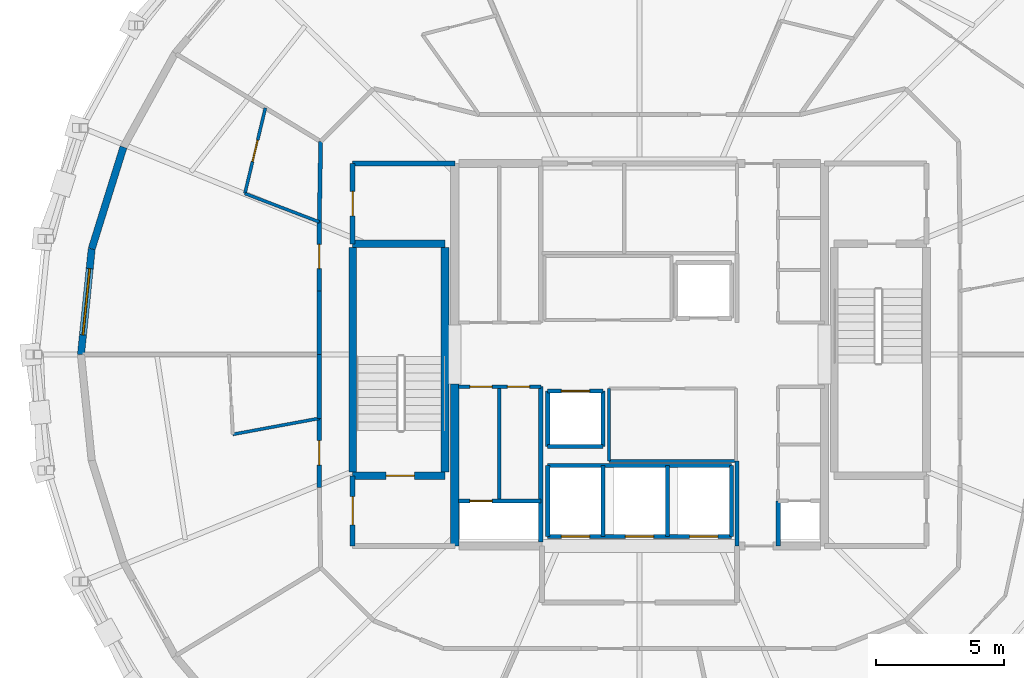
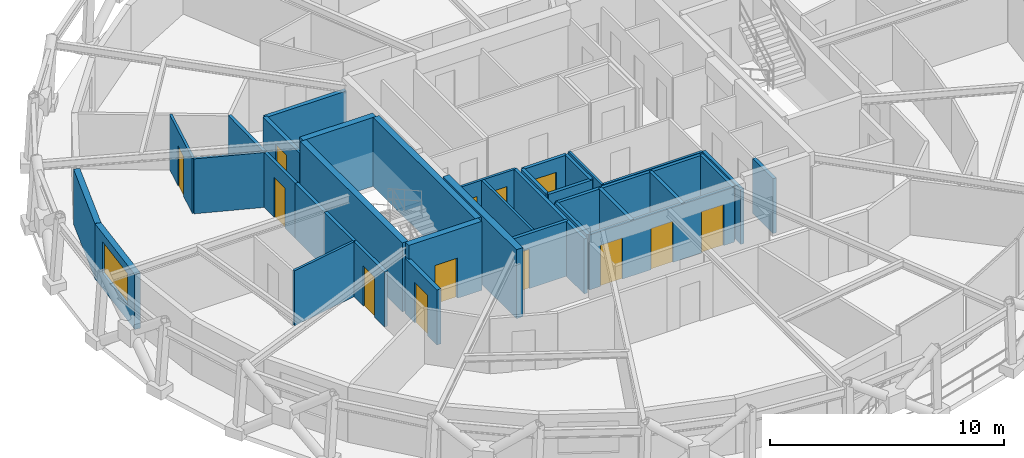
# One storey, part 12 of 16: 36 walls, 13 doors, 1 window, 14 openings.
"""IFC4 building model written with IfcOpenShell, lengths in metres."""

from ifc_helpers import new_model, si_unit, direction, frame, frame_2d, origin, place, context, subcontext, project, spatial, rectangle, extrude, material, layer, layer_set, type_object, element, fill, save


model = new_model("IFC4")

# Units and contexts
model_context = context("Model", 3, precision=1e-05, world=origin(), true_north=direction((0.0, 1.0)))
body_context = subcontext(model_context, "Body", "Model", "MODEL_VIEW")
ifc_project = project(units=[si_unit("LENGTHUNIT", "METRE"), si_unit("AREAUNIT", "SQUARE_METRE"), si_unit("VOLUMEUNIT", "CUBIC_METRE"), si_unit("PLANEANGLEUNIT", "RADIAN"), si_unit("MASSUNIT", "GRAM", prefix="KILO")], contexts=[model_context])

# Site, building, storey
site_placement = place(None, origin())
site = spatial("IfcSite", under=ifc_project, at=site_placement, CompositionType="ELEMENT")
building_placement = place(site_placement, origin())
building = spatial("IfcBuilding", under=site, at=building_placement, Name="Veldorina Hangang Commons", CompositionType="ELEMENT")
storey_placement = place(building_placement, frame((0.0, 0.0, 240.0)))
storey = spatial("IfcBuildingStorey", under=building, at=storey_placement, Name="L62", CompositionType="ELEMENT", Elevation=240.0)

# Walls
ifc_material_1 = material(Name="Concrete C50/60", Category="concrete")
ifc_layer_1 = layer(ifc_material_1, 0.320068359375)
ifc_layer_set_1 = layer_set([ifc_layer_1], Name="Concrete C50/60")
wall_type_1 = type_object("IfcWallType", Name="CW-RC320-C50", PredefinedType="SHEAR", material=ifc_layer_set_1)
wall_1_placement = place(storey_placement, frame((24.800048828125, 16.550048828125, 0.0), z_axis=(0.0, 0.0, 1.0), x_axis=(0.0, 1.0, 0.0)))
element("IfcWall", 1, at=wall_1_placement, inside=storey, type_object=wall_type_1, Name="L62 W south core shear wall", PredefinedType="SHEAR", context=body_context, shape_type="SweptSolid", body=[
    extrude(rectangle(XDim=6.300048828125, YDim=0.320068359375, at=frame_2d((3.14990234375, 0.0))), origin(), (0.0, 0.0, 1.0), 3.60009765625),
])
ifc_material_2 = material(Name="Stone Roman Travertine", Category="masonry")
ifc_layer_2 = layer(ifc_material_2, 0.280029296875)
ifc_layer_set_2 = layer_set([ifc_layer_2], Name="Stone Roman Travertine")
wall_type_2 = type_object("IfcWallType", Name="EW-TRAV-280", PredefinedType="STANDARD", material=ifc_layer_set_2)
wall_2_placement = place(storey_placement, frame((11.891357421875, 32.087646484375, 0.0), z_axis=(0.0, 0.0, 1.0), x_axis=(-0.298184627307, -0.954508212661, 0.0)))
element("IfcWall", 2, at=wall_2_placement, inside=storey, type_object=wall_type_2, Name="L62 travertine facade wall 14", PredefinedType="STANDARD", context=body_context, shape_type="SweptSolid", body=[
    extrude(rectangle(XDim=4.153564453125, YDim=0.280029296875, at=frame_2d((2.07666015625, 0.0))), origin(), (0.0, 0.0, 1.0), 2.8798828125),
])

# Wall, opening, window
wall_3_placement = place(storey_placement, frame((10.65283203125, 28.123046875, 0.0), z_axis=(0.0, 0.0, 1.0), x_axis=(-0.100915158401, -0.994895035069, 0.0)))
wall_3 = element("IfcWall", 3, at=wall_3_placement, inside=storey, type_object=wall_type_2, Name="L62 travertine facade wall 15", PredefinedType="STANDARD", context=body_context, shape_type="SweptSolid", body=[
    extrude(rectangle(XDim=4.144287109375, YDim=0.280029296875, at=frame_2d((2.072265625, 0.0))), origin(), (0.0, 0.0, 1.0), 2.8798828125),
])
opening_1_placement = place(wall_3_placement, frame((0.772216796875, 0.0, 0.800048828125)))
opening_1 = element("IfcOpeningElement", 4, at=opening_1_placement, cuts=wall_3, Name="Opening W-02", PredefinedType="OPENING", context=body_context, shape_type="SweptSolid", body=[
    extrude(rectangle(XDim=2.60009765625, YDim=1.64990234375, at=frame_2d((1.300048828125, 0.824951171875))), frame((0.0, 0.14990234375, 0.0), z_axis=(0.0, -1.0, 0.0), x_axis=(1.0, 0.0, 0.0)), (0.0, 0.0, 1.0), 0.300048828125),
])
ifc_material_3 = material(Name="Glass Low-E Triple IGU", Category="glass")
window_type = type_object("IfcWindowType", Name="WIN-TWR-2600", PartitioningType="SINGLE_PANEL", PredefinedType="WINDOW", material=ifc_material_3)
window_placement = place(opening_1_placement, origin())
window = element("IfcWindow", 5, at=window_placement, inside=storey, type_object=window_type, Name="L62 facade window 15", OverallHeight=1.64990234375, OverallWidth=2.60009765625, PartitioningType="SINGLE_PANEL", PredefinedType="WINDOW", context=body_context, shape_type="SweptSolid", body=[
    extrude(rectangle(XDim=2.60009765625, YDim=1.64990234375, at=frame_2d((1.300048828125, 0.824951171875))), frame((0.0, 0.030029296875, 0.0), z_axis=(0.0, -1.0, 0.0), x_axis=(1.0, 0.0, 0.0)), (0.0, 0.0, 1.0), 0.06005859375),
])
fill(opening_1, window)

# Walls
ifc_layer_3 = layer(ifc_material_1, 0.300048828125)
ifc_layer_set_3 = layer_set([ifc_layer_3], Name="Concrete C50/60")
wall_type_3 = type_object("IfcWallType", Name="SW-STAIR-300", PredefinedType="SHEAR", material=ifc_layer_set_3)
for number, where, z_axis, x_axis, name in (
    (6, (20.820068359375, 19.429931640625, 0.0), (0.0, 0.0, 1.0), (0.0, 1.0, 0.0), "L62 ST1 outer stair shear wall"),
    (7, (24.419921875, 19.429931640625, 0.0), (0.0, 0.0, 1.0), (0.0, 1.0, 0.0), "L62 ST1 inner stair shear wall"),
):
    element("IfcWall", number, at=place(storey_placement, frame(where, z_axis=z_axis, x_axis=x_axis)), inside=storey, type_object=wall_type_3, Name=name, PredefinedType="SHEAR", context=body_context, shape_type="SweptSolid", body=[
        extrude(rectangle(XDim=8.739990234375, YDim=0.300048828125, at=frame_2d((4.3701171875, 0.0))), origin(), (0.0, 0.0, 1.0), 3.60009765625),
    ])

# Wall, opening, door
wall_4_placement = place(storey_placement, frame((20.820068359375, 19.280029296875, 0.0), z_axis=(0.0, 0.0, 1.0), x_axis=(1.0, 0.0, 0.0)))
wall_4 = element("IfcWall", 8, at=wall_4_placement, inside=storey, type_object=wall_type_3, Name="L62 ST1 south stair shear wall", PredefinedType="SHEAR", context=body_context, shape_type="SweptSolid", body=[
    extrude(rectangle(XDim=3.599853515625, YDim=0.300048828125, at=frame_2d((1.7998046875, 0.0))), origin(), (0.0, 0.0, 1.0), 3.60009765625),
])
opening_2_placement = place(wall_4_placement, frame((1.300048828125, 0.0, 0.0)))
opening_2 = element("IfcOpeningElement", 9, at=opening_2_placement, cuts=wall_4, Name="Opening D-08", PredefinedType="OPENING", context=body_context, shape_type="SweptSolid", body=[
    extrude(rectangle(XDim=1.10009765625, YDim=2.10009765625, at=frame_2d((0.550048828125, 1.050048828125))), frame((0.0, 0.16015625, 0.0), z_axis=(0.0, -1.0, 0.0), x_axis=(1.0, 0.0, 0.0)), (0.0, 0.0, 1.0), 0.320068359375),
])
ifc_material_4 = material(Name="Steel Fire-Rated Smoke Seal", Category="steel")
door_type_1 = type_object("IfcDoorType", Name="DR-FIRE-1100", OperationType="SINGLE_SWING_RIGHT", PredefinedType="DOOR", material=ifc_material_4)
door_1_placement = place(opening_2_placement, origin())
door_1 = element("IfcDoor", 10, at=door_1_placement, inside=storey, type_object=door_type_1, Name="L62 Special Escape Stair ST-1 door", OperationType="SINGLE_SWING_LEFT", OverallHeight=2.10009765625, OverallWidth=1.10009765625, PredefinedType="DOOR", context=body_context, shape_type="SweptSolid", body=[
    extrude(rectangle(XDim=1.10009765625, YDim=2.10009765625, at=frame_2d((0.550048828125, 1.050048828125))), frame((0.0, 0.02490234375, 0.0), z_axis=(0.0, -1.0, 0.0), x_axis=(1.0, 0.0, 0.0)), (0.0, 0.0, 1.0), 0.050048828125),
])
fill(opening_2, door_1)

# Walls
wall_5_placement = place(storey_placement, frame((20.820068359375, 28.320068359375, 0.0), z_axis=(0.0, 0.0, 1.0), x_axis=(1.0, 0.0, 0.0)))
element("IfcWall", 11, at=wall_5_placement, inside=storey, type_object=wall_type_3, Name="L62 ST1 north stair shear wall", PredefinedType="SHEAR", context=body_context, shape_type="SweptSolid", body=[
    extrude(rectangle(XDim=3.599853515625, YDim=0.300048828125, at=frame_2d((1.7998046875, 0.0))), origin(), (0.0, 0.0, 1.0), 3.60009765625),
])
ifc_material_5 = material(Name="Gypsum Fire-Rated Twin Stud Wall", Category="gypsum")
ifc_layer_4 = layer(ifc_material_5, 0.159912109375)
ifc_layer_set_4 = layer_set([ifc_layer_4], Name="Gypsum Fire-Rated Twin Stud Wall")
wall_type_4 = type_object("IfcWallType", Name="WL-FIRE-160", PredefinedType="SOLIDWALL", material=ifc_layer_set_4)
wall_6_placement = place(storey_placement, frame((35.800048828125, 16.550048828125, 0.0), z_axis=(0.0, 0.0, 1.0), x_axis=(0.0, 1.0, 0.0)))
element("IfcWall", 12, at=wall_6_placement, inside=storey, type_object=wall_type_4, Name="L62 Lift passage SW wall 009", PredefinedType="SOLIDWALL", context=body_context, shape_type="SweptSolid", body=[
    extrude(rectangle(XDim=3.300048828125, YDim=0.159912109375, at=frame_2d((1.64990234375, 0.0))), origin(), (0.0, 0.0, 1.0), 2.8701171875),
])
wall_7_placement = place(storey_placement, frame((37.39990234375, 16.550048828125, 0.0), z_axis=(0.0, 0.0, 1.0), x_axis=(0.0, 1.0, 0.0)))
element("IfcWall", 13, at=wall_7_placement, inside=storey, type_object=wall_type_4, Name="L62 Lift passage SE stub 010", PredefinedType="SOLIDWALL", context=body_context, shape_type="SweptSolid", body=[
    extrude(rectangle(XDim=1.75, YDim=0.159912109375, at=frame_2d((0.875, 0.0))), origin(), (0.0, 0.0, 1.0), 2.8701171875),
])

# Wall, opening, door
wall_8_placement = place(storey_placement, frame((28.419921875, 22.580078125, 0.0), z_axis=(0.0, 0.0, 1.0), x_axis=(1.0, 0.0, 0.0)))
wall_8 = element("IfcWall", 14, at=wall_8_placement, inside=storey, type_object=wall_type_4, Name="L62 Shuttle-high front shaft wall 019", PredefinedType="SOLIDWALL", context=body_context, shape_type="SweptSolid", body=[
    extrude(rectangle(XDim=2.16015625, YDim=0.159912109375, at=frame_2d((1.080078125, 0.0))), origin(), (0.0, 0.0, 1.0), 2.8701171875),
])
opening_3_placement = place(wall_8_placement, frame((0.530029296875, 0.0, 0.0)))
opening_3 = element("IfcOpeningElement", 15, at=opening_3_placement, cuts=wall_8, Name="Opening LD-01", PredefinedType="OPENING", context=body_context, shape_type="SweptSolid", body=[
    extrude(rectangle(XDim=1.10009765625, YDim=2.14990234375, at=frame_2d((0.550048828125, 1.074951171875))), frame((0.0, 0.08984375, 0.0), z_axis=(0.0, -1.0, 0.0), x_axis=(1.0, 0.0, 0.0)), (0.0, 0.0, 1.0), 0.179931640625),
])
ifc_material_6 = material(Name="Stainless Steel Brushed Lift Door", Category="steel")
door_type_2 = type_object("IfcDoorType", Name="DR-LIFT-1100", OperationType="SLIDING_TO_LEFT", PredefinedType="DOOR", material=ifc_material_6)
door_2_placement = place(opening_3_placement, origin())
door_2 = element("IfcDoor", 16, at=door_2_placement, inside=storey, type_object=door_type_2, Name="L62 Lift PL-H2 landing door 007", OperationType="SLIDING_TO_LEFT", OverallHeight=2.14990234375, OverallWidth=1.10009765625, PredefinedType="DOOR", context=body_context, shape_type="SweptSolid", body=[
    extrude(rectangle(XDim=1.10009765625, YDim=2.14990234375, at=frame_2d((0.550048828125, 1.074951171875))), frame((0.0, 0.02490234375, 0.0), z_axis=(0.0, -1.0, 0.0), x_axis=(1.0, 0.0, 0.0)), (0.0, 0.0, 1.0), 0.050048828125),
])
fill(opening_3, door_2)

# Walls
for number, where, z_axis, x_axis, name in (
    (17, (28.419921875, 20.419921875, 0.0), (0.0, 0.0, 1.0), (1.0, 0.0, 0.0), "L62 Shuttle-high rear shaft wall 020"),
    (18, (28.419921875, 20.419921875, 0.0), (0.0, 0.0, 1.0), (0.0, 1.0, 0.0), "L62 PL-H2 west shaft wall 021"),
    (19, (30.580078125, 20.419921875, 0.0), (0.0, 0.0, 1.0), (0.0, 1.0, 0.0), "L62 PL-H2 east shaft wall 022"),
):
    element("IfcWall", number, at=place(storey_placement, frame(where, z_axis=z_axis, x_axis=x_axis)), inside=storey, type_object=wall_type_4, Name=name, PredefinedType="SOLIDWALL", context=body_context, shape_type="SweptSolid", body=[
        extrude(rectangle(XDim=2.16015625, YDim=0.159912109375, at=frame_2d((1.080078125, 0.0))), origin(), (0.0, 0.0, 1.0), 2.8701171875),
    ])

# Wall, openings, doors
wall_9_placement = place(storey_placement, frame((28.419921875, 16.919921875, 0.0), z_axis=(0.0, 0.0, 1.0), x_axis=(1.0, 0.0, 0.0)))
wall_9 = element("IfcWall", 20, at=wall_9_placement, inside=storey, type_object=wall_type_4, Name="L62 Emergency front shaft wall 023", PredefinedType="SOLIDWALL", context=body_context, shape_type="SweptSolid", body=[
    extrude(rectangle(XDim=7.16015625, YDim=0.159912109375, at=frame_2d((3.580078125, 0.0))), origin(), (0.0, 0.0, 1.0), 2.8701171875),
])
opening_4_placement = place(wall_9_placement, frame((0.530029296875, 0.0, 0.0)))
opening_4 = element("IfcOpeningElement", 21, at=opening_4_placement, cuts=wall_9, Name="Opening LD-03", PredefinedType="OPENING", context=body_context, shape_type="SweptSolid", body=[
    extrude(rectangle(XDim=1.10009765625, YDim=2.14990234375, at=frame_2d((0.550048828125, 1.074951171875))), frame((0.0, 0.08984375, 0.0), z_axis=(0.0, -1.0, 0.0), x_axis=(1.0, 0.0, 0.0)), (0.0, 0.0, 1.0), 0.179931640625),
])
opening_5_placement = place(wall_9_placement, frame((3.030029296875, 0.0, 0.0)))
opening_5 = element("IfcOpeningElement", 22, at=opening_5_placement, cuts=wall_9, Name="Opening LD-03", PredefinedType="OPENING", context=body_context, shape_type="SweptSolid", body=[
    extrude(rectangle(XDim=1.10009765625, YDim=2.14990234375, at=frame_2d((0.550048828125, 1.074951171875))), frame((0.0, 0.08984375, 0.0), z_axis=(0.0, -1.0, 0.0), x_axis=(1.0, 0.0, 0.0)), (0.0, 0.0, 1.0), 0.179931640625),
])
opening_6_placement = place(wall_9_placement, frame((5.530029296875, 0.0, 0.0)))
opening_6 = element("IfcOpeningElement", 23, at=opening_6_placement, cuts=wall_9, Name="Opening LD-03", PredefinedType="OPENING", context=body_context, shape_type="SweptSolid", body=[
    extrude(rectangle(XDim=1.10009765625, YDim=2.14990234375, at=frame_2d((0.550048828125, 1.074951171875))), frame((0.0, 0.08984375, 0.0), z_axis=(0.0, -1.0, 0.0), x_axis=(1.0, 0.0, 0.0)), (0.0, 0.0, 1.0), 0.179931640625),
])
ifc_material_7 = material(Name="Stainless Steel Firefighting Lift Door", Category="steel")
door_type_3 = type_object("IfcDoorType", Name="DR-LIFT-FF1100", OperationType="SLIDING_TO_RIGHT", PredefinedType="DOOR", material=ifc_material_7)
door_3_placement = place(opening_4_placement, origin())
door_3 = element("IfcDoor", 24, at=door_3_placement, inside=storey, type_object=door_type_3, Name="L62 Emergency lift FFL-1 landing door 008", OperationType="SLIDING_TO_RIGHT", OverallHeight=2.14990234375, OverallWidth=1.10009765625, PredefinedType="DOOR", context=body_context, shape_type="SweptSolid", body=[
    extrude(rectangle(XDim=1.10009765625, YDim=2.14990234375, at=frame_2d((0.550048828125, 1.074951171875))), frame((0.0, 0.02490234375, 0.0), z_axis=(0.0, -1.0, 0.0), x_axis=(1.0, 0.0, 0.0)), (0.0, 0.0, 1.0), 0.050048828125),
])
fill(opening_4, door_3)
door_4_placement = place(opening_5_placement, origin())
door_4 = element("IfcDoor", 25, at=door_4_placement, inside=storey, type_object=door_type_3, Name="L62 Emergency lift FFL-2 landing door 009", OperationType="SLIDING_TO_RIGHT", OverallHeight=2.14990234375, OverallWidth=1.10009765625, PredefinedType="DOOR", context=body_context, shape_type="SweptSolid", body=[
    extrude(rectangle(XDim=1.10009765625, YDim=2.14990234375, at=frame_2d((0.550048828125, 1.074951171875))), frame((0.0, 0.02490234375, 0.0), z_axis=(0.0, -1.0, 0.0), x_axis=(1.0, 0.0, 0.0)), (0.0, 0.0, 1.0), 0.050048828125),
])
fill(opening_5, door_4)
door_5_placement = place(opening_6_placement, origin())
door_5 = element("IfcDoor", 26, at=door_5_placement, inside=storey, type_object=door_type_3, Name="L62 Emergency lift EVL-1 landing door 010", OperationType="SLIDING_TO_RIGHT", OverallHeight=2.14990234375, OverallWidth=1.10009765625, PredefinedType="DOOR", context=body_context, shape_type="SweptSolid", body=[
    extrude(rectangle(XDim=1.10009765625, YDim=2.14990234375, at=frame_2d((0.550048828125, 1.074951171875))), frame((0.0, 0.02490234375, 0.0), z_axis=(0.0, -1.0, 0.0), x_axis=(1.0, 0.0, 0.0)), (0.0, 0.0, 1.0), 0.050048828125),
])
fill(opening_6, door_5)

# Walls
wall_10_placement = place(storey_placement, frame((28.419921875, 19.679931640625, 0.0), z_axis=(0.0, 0.0, 1.0), x_axis=(1.0, 0.0, 0.0)))
element("IfcWall", 27, at=wall_10_placement, inside=storey, type_object=wall_type_4, Name="L62 Emergency rear shaft wall 024", PredefinedType="SOLIDWALL", context=body_context, shape_type="SweptSolid", body=[
    extrude(rectangle(XDim=7.16015625, YDim=0.159912109375, at=frame_2d((3.580078125, 0.0))), origin(), (0.0, 0.0, 1.0), 2.8701171875),
])
for number, where, z_axis, x_axis, name in (
    (28, (28.419921875, 16.919921875, 0.0), (0.0, 0.0, 1.0), (0.0, 1.0, 0.0), "L62 FFL-1 west shaft wall 025"),
    (29, (30.580078125, 16.919921875, 0.0), (0.0, 0.0, 1.0), (0.0, 1.0, 0.0), "L62 FFL-1 east shaft wall 026"),
    (30, (33.080078125, 16.919921875, 0.0), (0.0, 0.0, 1.0), (0.0, 1.0, 0.0), "L62 FFL-2 east shaft wall 027"),
    (31, (35.580078125, 16.919921875, 0.0), (0.0, 0.0, 1.0), (0.0, 1.0, 0.0), "L62 EVL-1 east shaft wall 028"),
):
    element("IfcWall", number, at=place(storey_placement, frame(where, z_axis=z_axis, x_axis=x_axis)), inside=storey, type_object=wall_type_4, Name=name, PredefinedType="SOLIDWALL", context=body_context, shape_type="SweptSolid", body=[
        extrude(rectangle(XDim=2.760009765625, YDim=0.159912109375, at=frame_2d((1.3798828125, 0.0))), origin(), (0.0, 0.0, 1.0), 2.8701171875),
    ])

# Wall, opening, door
wall_11_placement = place(storey_placement, frame((24.949951171875, 18.300048828125, 0.0), z_axis=(0.0, 0.0, 1.0), x_axis=(1.0, 0.0, 0.0)))
wall_11 = element("IfcWall", 32, at=wall_11_placement, inside=storey, type_object=wall_type_4, Name="L62 Electrical riser wall 041", PredefinedType="SOLIDWALL", context=body_context, shape_type="SweptSolid", body=[
    extrude(rectangle(XDim=3.199951171875, YDim=0.159912109375, at=frame_2d((1.60009765625, 0.0))), origin(), (0.0, 0.0, 1.0), 2.8701171875),
])
opening_7_placement = place(wall_11_placement, frame((0.43994140625, 0.0, 0.0)))
opening_7 = element("IfcOpeningElement", 33, at=opening_7_placement, cuts=wall_11, Name="Opening D-12", PredefinedType="OPENING", context=body_context, shape_type="SweptSolid", body=[
    extrude(rectangle(XDim=0.860107421875, YDim=2.050048828125, at=frame_2d((0.43017578125, 1.02490234375))), frame((0.0, 0.08984375, 0.0), z_axis=(0.0, -1.0, 0.0), x_axis=(1.0, 0.0, 0.0)), (0.0, 0.0, 1.0), 0.179931640625),
])
ifc_material_8 = material(Name="Steel Insulated Riser Access", Category="steel")
door_type_4 = type_object("IfcDoorType", Name="DR-TRAP-860", OperationType="SINGLE_SWING_LEFT", PredefinedType="TRAPDOOR", material=ifc_material_8)
door_6_placement = place(opening_7_placement, origin())
door_6 = element("IfcDoor", 34, at=door_6_placement, inside=storey, type_object=door_type_4, Name="L62 Electrical riser access door 015", OperationType="SINGLE_SWING_LEFT", OverallHeight=2.050048828125, OverallWidth=0.860107421875, PredefinedType="TRAPDOOR", context=body_context, shape_type="SweptSolid", body=[
    extrude(rectangle(XDim=0.860107421875, YDim=2.050048828125, at=frame_2d((0.43017578125, 1.02490234375))), frame((0.0, 0.02490234375, 0.0), z_axis=(0.0, -1.0, 0.0), x_axis=(1.0, 0.0, 0.0)), (0.0, 0.0, 1.0), 0.050048828125),
])
fill(opening_7, door_6)

# Walls
wall_12_placement = place(storey_placement, frame((28.14990234375, 16.699951171875, 0.0), z_axis=(0.0, 0.0, 1.0), x_axis=(0.0, 1.0, 0.0)))
element("IfcWall", 35, at=wall_12_placement, inside=storey, type_object=wall_type_4, Name="L62 SW core inner wall 042", PredefinedType="SOLIDWALL", context=body_context, shape_type="SweptSolid", body=[
    extrude(rectangle(XDim=6.050048828125, YDim=0.159912109375, at=frame_2d((3.02490234375, 0.0))), origin(), (0.0, 0.0, 1.0), 2.8701171875),
])
wall_13_placement = place(storey_placement, frame((19.5732421875, 32.30322265625, 0.0), z_axis=(0.0, 0.0, 1.0), x_axis=(-0.016981035134, -0.999855811828, 0.0)))
element("IfcWall", 36, at=wall_13_placement, inside=storey, type_object=wall_type_4, Name="L62 Compact collar outer wall 13 069", PredefinedType="SOLIDWALL", context=body_context, shape_type="SweptSolid", body=[
    extrude(rectangle(XDim=3.13427734375, YDim=0.159912109375, at=frame_2d((1.567138671875, 0.0))), origin(), (0.0, 0.0, 1.0), 2.8701171875),
])

# Wall, opening, door
wall_14_placement = place(storey_placement, frame((19.52001953125, 29.16943359375, 0.0), z_axis=(0.0, 0.0, 1.0), x_axis=(0.0, -1.0, 0.0)))
wall_14 = element("IfcWall", 37, at=wall_14_placement, inside=storey, type_object=wall_type_4, Name="L62 Compact collar outer wall 14 070", PredefinedType="SOLIDWALL", context=body_context, shape_type="SweptSolid", body=[
    extrude(rectangle(XDim=2.68701171875, YDim=0.159912109375, at=frame_2d((1.343505859375, 0.0))), origin(), (0.0, 0.0, 1.0), 2.8701171875),
])
opening_8_placement = place(wall_14_placement, frame((0.868408203125, 0.0, 0.0)))
opening_8 = element("IfcOpeningElement", 38, at=opening_8_placement, cuts=wall_14, Name="Opening D-03", PredefinedType="OPENING", context=body_context, shape_type="SweptSolid", body=[
    extrude(rectangle(XDim=0.949951171875, YDim=2.10009765625, at=frame_2d((0.47509765625, 1.050048828125))), frame((0.0, 0.08984375, 0.0), z_axis=(0.0, -1.0, 0.0), x_axis=(1.0, 0.0, 0.0)), (0.0, 0.0, 1.0), 0.179931640625),
])
ifc_material_9 = material(Name="Timber Fire-Rated Entrance Core", Category="wood")
door_type_5 = type_object("IfcDoorType", Name="DR-UNIT-950", OperationType="SINGLE_SWING_RIGHT", PredefinedType="DOOR", material=ifc_material_9)
door_7_placement = place(opening_8_placement, origin())
door_7 = element("IfcDoor", 39, at=door_7_placement, inside=storey, type_object=door_type_5, Name="L62 Studio 5 entrance door 041", OperationType="SINGLE_SWING_LEFT", OverallHeight=2.10009765625, OverallWidth=0.949951171875, PredefinedType="DOOR", context=body_context, shape_type="SweptSolid", body=[
    extrude(rectangle(XDim=0.949951171875, YDim=2.10009765625, at=frame_2d((0.47509765625, 1.050048828125))), frame((0.0, 0.02490234375, 0.0), z_axis=(0.0, -1.0, 0.0), x_axis=(1.0, 0.0, 0.0)), (0.0, 0.0, 1.0), 0.050048828125),
])
fill(opening_8, door_7)

# Walls
for number, where, z_axis, x_axis, name in (
    (40, (19.52001953125, 26.482421875, 0.0), (0.0, 0.0, 1.0), (0.0, -1.0, 0.0), "L62 Compact collar outer wall 15 071"),
    (41, (19.52001953125, 24.0, 0.0), (0.0, 0.0, 1.0), (0.0, -1.0, 0.0), "L62 Compact collar outer wall 16 072"),
):
    element("IfcWall", number, at=place(storey_placement, frame(where, z_axis=z_axis, x_axis=x_axis)), inside=storey, type_object=wall_type_4, Name=name, PredefinedType="SOLIDWALL", context=body_context, shape_type="SweptSolid", body=[
        extrude(rectangle(XDim=2.482421875, YDim=0.159912109375, at=frame_2d((1.2412109375, 0.0))), origin(), (0.0, 0.0, 1.0), 2.8701171875),
    ])

# Wall, opening, door
wall_15_placement = place(storey_placement, frame((19.52001953125, 21.517578125, 0.0), z_axis=(0.0, 0.0, 1.0), x_axis=(0.0, -1.0, 0.0)))
wall_15 = element("IfcWall", 42, at=wall_15_placement, inside=storey, type_object=wall_type_4, Name="L62 Compact collar outer wall 17 073", PredefinedType="SOLIDWALL", context=body_context, shape_type="SweptSolid", body=[
    extrude(rectangle(XDim=2.68701171875, YDim=0.159912109375, at=frame_2d((1.343505859375, 0.0))), origin(), (0.0, 0.0, 1.0), 2.8701171875),
])
opening_9_placement = place(wall_15_placement, frame((0.868408203125, 0.0, 0.0)))
opening_9 = element("IfcOpeningElement", 43, at=opening_9_placement, cuts=wall_15, Name="Opening D-03", PredefinedType="OPENING", context=body_context, shape_type="SweptSolid", body=[
    extrude(rectangle(XDim=0.949951171875, YDim=2.10009765625, at=frame_2d((0.47509765625, 1.050048828125))), frame((0.0, 0.08984375, 0.0), z_axis=(0.0, -1.0, 0.0), x_axis=(1.0, 0.0, 0.0)), (0.0, 0.0, 1.0), 0.179931640625),
])
door_8_placement = place(opening_9_placement, origin())
door_8 = element("IfcDoor", 44, at=door_8_placement, inside=storey, type_object=door_type_5, Name="L62 Studio 6 entrance door 043", OperationType="SINGLE_SWING_LEFT", OverallHeight=2.10009765625, OverallWidth=0.949951171875, PredefinedType="DOOR", context=body_context, shape_type="SweptSolid", body=[
    extrude(rectangle(XDim=0.949951171875, YDim=2.10009765625, at=frame_2d((0.47509765625, 1.050048828125))), frame((0.0, 0.02490234375, 0.0), z_axis=(0.0, -1.0, 0.0), x_axis=(1.0, 0.0, 0.0)), (0.0, 0.0, 1.0), 0.050048828125),
])
fill(opening_9, door_8)

ifc_material_10 = material(Name="Concrete Blockwork Fire Wall C30/37", Category="masonry")
ifc_layer_5 = layer(ifc_material_10, 0.199951171875)
ifc_layer_set_5 = layer_set([ifc_layer_5], Name="Concrete Blockwork Fire Wall C30/37")
wall_type_5 = type_object("IfcWallType", Name="WL-FIRE-200", PredefinedType="SOLIDWALL", material=ifc_layer_set_5)
wall_16_placement = place(storey_placement, frame((20.820068359375, 16.550048828125, 0.0), z_axis=(0.0, 0.0, 1.0), x_axis=(0.0, 1.0, 0.0)))
wall_16 = element("IfcWall", 45, at=wall_16_placement, inside=storey, type_object=wall_type_5, Name="L62 West vestibule outer wall 001", PredefinedType="SOLIDWALL", context=body_context, shape_type="SweptSolid", body=[
    extrude(rectangle(XDim=2.72998046875, YDim=0.199951171875, at=frame_2d((1.364990234375, 0.0))), origin(), (0.0, 0.0, 1.0), 2.8701171875),
])
opening_10_placement = place(wall_16_placement, frame((0.81494140625, 0.0, 0.0)))
opening_10 = element("IfcOpeningElement", 46, at=opening_10_placement, cuts=wall_16, Name="Opening D-08", PredefinedType="OPENING", context=body_context, shape_type="SweptSolid", body=[
    extrude(rectangle(XDim=1.10009765625, YDim=2.10009765625, at=frame_2d((0.550048828125, 1.050048828125))), frame((0.0, 0.10986328125, 0.0), z_axis=(0.0, -1.0, 0.0), x_axis=(1.0, 0.0, 0.0)), (0.0, 0.0, 1.0), 0.219970703125),
])
door_9_placement = place(opening_10_placement, origin())
door_9 = element("IfcDoor", 47, at=door_9_placement, inside=storey, type_object=door_type_1, Name="L62 West vestibule west door 001", OperationType="SINGLE_SWING_LEFT", OverallHeight=2.10009765625, OverallWidth=1.10009765625, PredefinedType="DOOR", context=body_context, shape_type="SweptSolid", body=[
    extrude(rectangle(XDim=1.10009765625, YDim=2.10009765625, at=frame_2d((0.550048828125, 1.050048828125))), frame((0.0, 0.02490234375, 0.0), z_axis=(0.0, -1.0, 0.0), x_axis=(1.0, 0.0, 0.0)), (0.0, 0.0, 1.0), 0.050048828125),
])
fill(opening_10, door_9)

wall_17_placement = place(storey_placement, frame((20.820068359375, 28.320068359375, 0.0), z_axis=(0.0, 0.0, 1.0), x_axis=(0.0, 1.0, 0.0)))
wall_17 = element("IfcWall", 48, at=wall_17_placement, inside=storey, type_object=wall_type_5, Name="L62 NW core room outer wall 005", PredefinedType="SOLIDWALL", context=body_context, shape_type="SweptSolid", body=[
    extrude(rectangle(XDim=3.1298828125, YDim=0.199951171875, at=frame_2d((1.56494140625, 0.0))), origin(), (0.0, 0.0, 1.0), 2.8701171875),
])
opening_11_placement = place(wall_17_placement, frame((1.090087890625, 0.0, 0.0)))
opening_11 = element("IfcOpeningElement", 49, at=opening_11_placement, cuts=wall_17, Name="Opening D-04", PredefinedType="OPENING", context=body_context, shape_type="SweptSolid", body=[
    extrude(rectangle(XDim=0.949951171875, YDim=2.10009765625, at=frame_2d((0.47509765625, 1.050048828125))), frame((0.0, 0.10986328125, 0.0), z_axis=(0.0, -1.0, 0.0), x_axis=(1.0, 0.0, 0.0)), (0.0, 0.0, 1.0), 0.219970703125),
])
ifc_material_11 = material(Name="Timber Accessible Flush Leaf", Category="wood")
door_type_6 = type_object("IfcDoorType", Name="DR-ACC-950", OperationType="SINGLE_SWING_LEFT", PredefinedType="DOOR", material=ifc_material_11)
door_10_placement = place(opening_11_placement, origin())
door_10 = element("IfcDoor", 50, at=door_10_placement, inside=storey, type_object=door_type_6, Name="L62 NW core WC door 003", OperationType="SINGLE_SWING_LEFT", OverallHeight=2.10009765625, OverallWidth=0.949951171875, PredefinedType="DOOR", context=body_context, shape_type="SweptSolid", body=[
    extrude(rectangle(XDim=0.949951171875, YDim=2.10009765625, at=frame_2d((0.47509765625, 1.050048828125))), frame((0.0, 0.02490234375, 0.0), z_axis=(0.0, -1.0, 0.0), x_axis=(1.0, 0.0, 0.0)), (0.0, 0.0, 1.0), 0.050048828125),
])
fill(opening_11, door_10)

# Walls
wall_18_placement = place(storey_placement, frame((20.820068359375, 31.449951171875, 0.0), z_axis=(0.0, 0.0, 1.0), x_axis=(1.0, 0.0, 0.0)))
element("IfcWall", 51, at=wall_18_placement, inside=storey, type_object=wall_type_5, Name="L62 NW core room north wall 006", PredefinedType="SOLIDWALL", context=body_context, shape_type="SweptSolid", body=[
    extrude(rectangle(XDim=3.97998046875, YDim=0.199951171875, at=frame_2d((1.989990234375, 0.0))), origin(), (0.0, 0.0, 1.0), 2.8701171875),
])
ifc_material_12 = material(Name="Gypsum Acoustic Stud Partition", Category="gypsum")
ifc_layer_6 = layer(ifc_material_12, 0.1201171875)
ifc_layer_set_6 = layer_set([ifc_layer_6], Name="Gypsum Acoustic Stud Partition")
wall_type_6 = type_object("IfcWallType", Name="WL-PART-120", PredefinedType="PARTITIONING", material=ifc_layer_set_6)
wall_19_placement = place(storey_placement, frame((30.800048828125, 19.85009765625, 0.0), z_axis=(0.0, 0.0, 1.0), x_axis=(1.0, 0.0, 0.0)))
element("IfcWall", 52, at=wall_19_placement, inside=storey, type_object=wall_type_6, Name="L62 Merged shuttle south wall 038", PredefinedType="PARTITIONING", context=body_context, shape_type="SweptSolid", body=[
    extrude(rectangle(XDim=4.949951171875, YDim=0.1201171875, at=frame_2d((2.47509765625, 0.0))), origin(), (0.0, 0.0, 1.0), 2.8701171875),
])
wall_20_placement = place(storey_placement, frame((30.800048828125, 19.85009765625, 0.0), z_axis=(0.0, 0.0, 1.0), x_axis=(0.0, 1.0, 0.0)))
element("IfcWall", 53, at=wall_20_placement, inside=storey, type_object=wall_type_6, Name="L62 Merged shuttle west wall 039", PredefinedType="PARTITIONING", context=body_context, shape_type="SweptSolid", body=[
    extrude(rectangle(XDim=2.829833984375, YDim=0.1201171875, at=frame_2d((1.4150390625, 0.0))), origin(), (0.0, 0.0, 1.0), 2.8701171875),
])

# Wall, openings, doors
wall_21_placement = place(storey_placement, frame((24.949951171875, 22.75, 0.0), z_axis=(0.0, 0.0, 1.0), x_axis=(1.0, 0.0, 0.0)))
wall_21 = element("IfcWall", 54, at=wall_21_placement, inside=storey, type_object=wall_type_6, Name="L62 SW service north wall 046", PredefinedType="PARTITIONING", context=body_context, shape_type="SweptSolid", body=[
    extrude(rectangle(XDim=3.199951171875, YDim=0.1201171875, at=frame_2d((1.60009765625, 0.0))), origin(), (0.0, 0.0, 1.0), 2.8701171875),
])
opening_12_placement = place(wall_21_placement, frame((0.43994140625, 0.0, 0.0)))
opening_12 = element("IfcOpeningElement", 55, at=opening_12_placement, cuts=wall_21, Name="Opening D-01", PredefinedType="OPENING", context=body_context, shape_type="SweptSolid", body=[
    extrude(rectangle(XDim=0.860107421875, YDim=2.10009765625, at=frame_2d((0.43017578125, 1.050048828125))), frame((0.0, 0.070068359375, 0.0), z_axis=(0.0, -1.0, 0.0), x_axis=(1.0, 0.0, 0.0)), (0.0, 0.0, 1.0), 0.14013671875),
])
opening_13_placement = place(wall_21_placement, frame((1.89990234375, 0.0, 0.0)))
opening_13 = element("IfcOpeningElement", 56, at=opening_13_placement, cuts=wall_21, Name="Opening D-01", PredefinedType="OPENING", context=body_context, shape_type="SweptSolid", body=[
    extrude(rectangle(XDim=0.860107421875, YDim=2.10009765625, at=frame_2d((0.43017578125, 1.050048828125))), frame((0.0, 0.070068359375, 0.0), z_axis=(0.0, -1.0, 0.0), x_axis=(1.0, 0.0, 0.0)), (0.0, 0.0, 1.0), 0.14013671875),
])
ifc_material_13 = material(Name="Timber Moisture-Resistant Core", Category="wood")
door_type_7 = type_object("IfcDoorType", Name="DR-WET-860", OperationType="SINGLE_SWING_LEFT", PredefinedType="DOOR", material=ifc_material_13)
door_11_placement = place(opening_12_placement, origin())
door_11 = element("IfcDoor", 57, at=door_11_placement, inside=storey, type_object=door_type_7, Name="L62 Cleaners door 019", OperationType="SINGLE_SWING_LEFT", OverallHeight=2.10009765625, OverallWidth=0.860107421875, PredefinedType="DOOR", context=body_context, shape_type="SweptSolid", body=[
    extrude(rectangle(XDim=0.860107421875, YDim=2.10009765625, at=frame_2d((0.43017578125, 1.050048828125))), frame((0.0, 0.02490234375, 0.0), z_axis=(0.0, -1.0, 0.0), x_axis=(1.0, 0.0, 0.0)), (0.0, 0.0, 1.0), 0.050048828125),
])
fill(opening_12, door_11)
door_12_placement = place(opening_13_placement, origin())
door_12 = element("IfcDoor", 58, at=door_12_placement, inside=storey, type_object=door_type_7, Name="L62 Metering door 020", OperationType="SINGLE_SWING_RIGHT", OverallHeight=2.10009765625, OverallWidth=0.860107421875, PredefinedType="DOOR", context=body_context, shape_type="SweptSolid", body=[
    extrude(rectangle(XDim=0.860107421875, YDim=2.10009765625, at=frame_2d((0.43017578125, 1.050048828125))), frame((0.0, 0.02490234375, 0.0), z_axis=(0.0, -1.0, 0.0), x_axis=(1.0, 0.0, 0.0)), (0.0, 0.0, 1.0), 0.050048828125),
])
fill(opening_13, door_12)

# Wall
wall_22_placement = place(storey_placement, frame((26.530029296875, 18.300048828125, 0.0), z_axis=(0.0, 0.0, 1.0), x_axis=(0.0, 1.0, 0.0)))
element("IfcWall", 59, at=wall_22_placement, inside=storey, type_object=wall_type_6, Name="L62 SW vertical split 052", PredefinedType="PARTITIONING", context=body_context, shape_type="SweptSolid", body=[
    extrude(rectangle(XDim=4.449951171875, YDim=0.1201171875, at=frame_2d((2.22509765625, 0.0))), origin(), (0.0, 0.0, 1.0), 2.8701171875),
])

# Wall, opening, door
wall_23_placement = place(storey_placement, frame((17.41845703125, 33.60986328125, 0.0), z_axis=(0.0, 0.0, 1.0), x_axis=(-0.232763726017, -0.97253331452, 0.0)))
wall_23 = element("IfcWall", 60, at=wall_23_placement, inside=storey, type_object=wall_type_6, Name="L62 Studio 5 bath front wall 113", PredefinedType="PARTITIONING", context=body_context, shape_type="SweptSolid", body=[
    extrude(rectangle(XDim=3.425537109375, YDim=0.1201171875, at=frame_2d((1.712890625, 0.0))), origin(), (0.0, 0.0, 1.0), 2.8701171875),
])
opening_14_placement = place(wall_23_placement, frame((1.28271484375, 0.0, 0.0)))
opening_14 = element("IfcOpeningElement", 61, at=opening_14_placement, cuts=wall_23, Name="Opening D-01", PredefinedType="OPENING", context=body_context, shape_type="SweptSolid", body=[
    extrude(rectangle(XDim=0.860107421875, YDim=2.10009765625, at=frame_2d((0.43017578125, 1.050048828125))), frame((0.0, 0.070068359375, 0.0), z_axis=(0.0, -1.0, 0.0), x_axis=(1.0, 0.0, 0.0)), (0.0, 0.0, 1.0), 0.14013671875),
])
door_13_placement = place(opening_14_placement, origin())
door_13 = element("IfcDoor", 62, at=door_13_placement, inside=storey, type_object=door_type_7, Name="L62 Studio 5 bathroom door 040", OperationType="SINGLE_SWING_RIGHT", OverallHeight=2.10009765625, OverallWidth=0.860107421875, PredefinedType="DOOR", context=body_context, shape_type="SweptSolid", body=[
    extrude(rectangle(XDim=0.860107421875, YDim=2.10009765625, at=frame_2d((0.43017578125, 1.050048828125))), frame((0.0, 0.02490234375, 0.0), z_axis=(0.0, -1.0, 0.0), x_axis=(1.0, 0.0, 0.0)), (0.0, 0.0, 1.0), 0.050048828125),
])
fill(opening_14, door_13)

# Walls
wall_24_placement = place(storey_placement, frame((19.52001953125, 29.16943359375, 0.0), z_axis=(0.0, 0.0, 1.0), x_axis=(-0.934000889724, 0.357270678889, 0.0)))
element("IfcWall", 63, at=wall_24_placement, inside=storey, type_object=wall_type_6, Name="L62 Studio 5 bath side wall 114", PredefinedType="PARTITIONING", context=body_context, shape_type="SweptSolid", body=[
    extrude(rectangle(XDim=3.103759765625, YDim=0.1201171875, at=frame_2d((1.5517578125, 0.0))), origin(), (0.0, 0.0, 1.0), 2.8701171875),
])
wall_25_placement = place(storey_placement, frame((19.52001953125, 21.517578125, 0.0), z_axis=(0.0, 0.0, 1.0), x_axis=(-0.983319307479, -0.181887711346, 0.0)))
element("IfcWall", 64, at=wall_25_placement, inside=storey, type_object=wall_type_6, Name="L62 Studio 6 bath side wall 117", PredefinedType="PARTITIONING", context=body_context, shape_type="SweptSolid", body=[
    extrude(rectangle(XDim=3.4267578125, YDim=0.1201171875, at=frame_2d((1.71337890625, 0.0))), origin(), (0.0, 0.0, 1.0), 2.8701171875),
])

save(model, "model.ifc")
